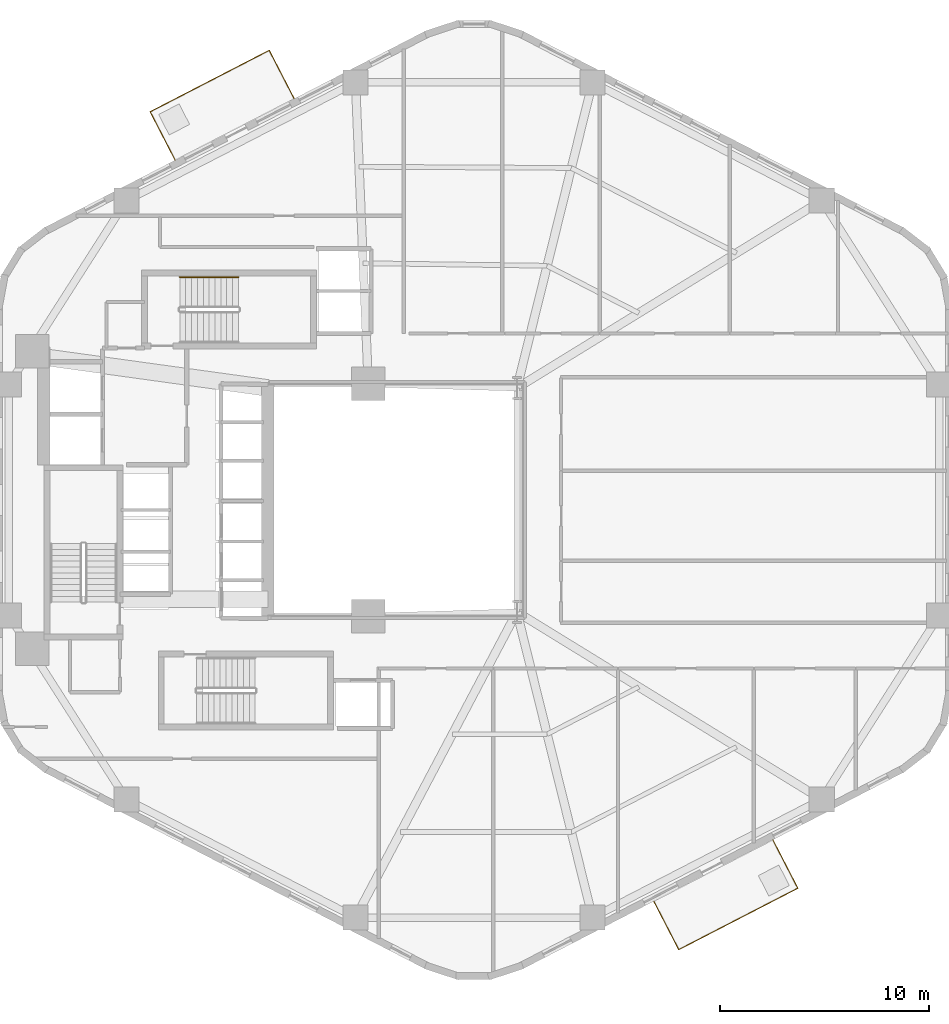
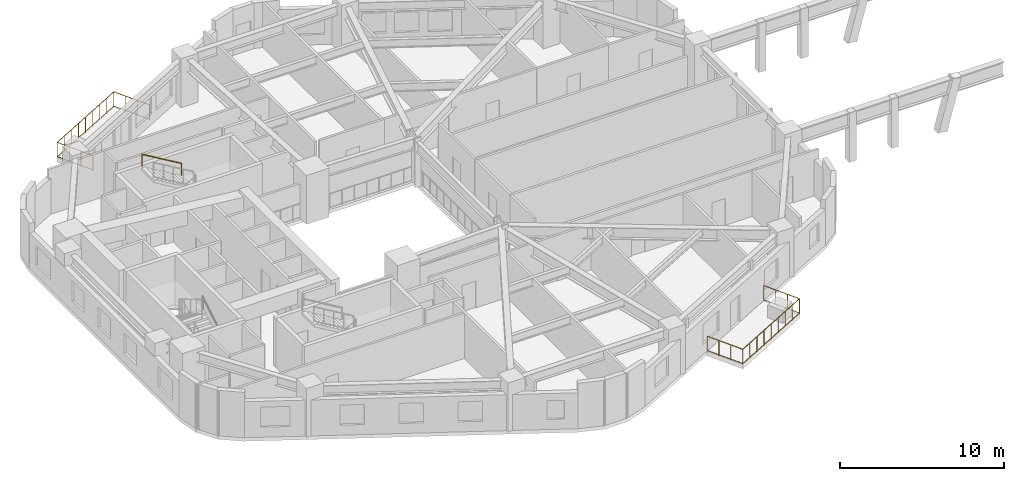
# One storey, part 8 of 8: 3 railings.
"""IFC4 building model written with IfcOpenShell, lengths in metres."""

from ifc_helpers import new_model, si_unit, direction, frame, origin, origin_2d, place, context, subcontext, project, spatial, circle, extrude, material, type_object, element, save


model = new_model("IFC4")

# Units and contexts
model_context = context("Model", 3, precision=1e-05, world=origin(), true_north=direction((0.0, 1.0)))
body_context = subcontext(model_context, "Body", "Model", "MODEL_VIEW")
ifc_project = project(units=[si_unit("LENGTHUNIT", "METRE"), si_unit("AREAUNIT", "SQUARE_METRE"), si_unit("VOLUMEUNIT", "CUBIC_METRE"), si_unit("PLANEANGLEUNIT", "RADIAN"), si_unit("MASSUNIT", "GRAM", prefix="KILO"), si_unit("THERMODYNAMICTEMPERATUREUNIT", "KELVIN"), si_unit("POWERUNIT", "WATT")], contexts=[model_context])

# Site, building, storey
site_placement = place(None, origin())
site = spatial("IfcSite", under=ifc_project, at=site_placement, CompositionType="ELEMENT")
building_placement = place(site_placement, origin())
building = spatial("IfcBuilding", under=site, at=building_placement, Name="Skarre Station Tower", CompositionType="ELEMENT")
storey_placement = place(building_placement, frame((0.0, 0.0, 45.25)))
storey = spatial("IfcBuildingStorey", under=building, at=storey_placement, Name="L11", CompositionType="ELEMENT", Elevation=45.25)

# Railings
ifc_material_1 = material(Name="Stainless Steel Grade 316L & Laminated Safety Glass", Category="steel")
railing_type_1 = type_object("IfcRailingType", Name="Laminated Glass & Stainless Terrace Guardrail 1150", PredefinedType="BALUSTRADE", material=ifc_material_1)
railing_1_placement = place(storey_placement, frame((28.80810546875, 43.176025390625, 0.0)))
element("IfcRailing", 1, at=railing_1_placement, inside=storey, type_object=railing_type_1, Name="L11 TB-L11-F1 Tree-Balcony Guardrail", PredefinedType="BALUSTRADE", context=body_context, shape_type="SweptSolid", body=[
    extrude(circle(Radius=0.02392578125, at=origin_2d()), frame((0.0, 0.0, 1.1259765625), z_axis=(-0.458599707136, 0.888642959019, 0.0), x_axis=(-0.888642959019, -0.458599707136, 0.0)), (0.0, 0.0, 1.0), 2.590576171875),
    extrude(circle(Radius=0.02099609375, at=origin_2d()), frame((0.0, 0.0, 0.06005859375), z_axis=(-0.458599707136, 0.888642959019, 0.0), x_axis=(-0.888642959019, -0.458599707136, 0.0)), (0.0, 0.0, 1.0), 2.590576171875),
    extrude(circle(Radius=0.02392578125, at=origin_2d()), frame((-1.18798828125, 2.302001953125, 1.1259765625), z_axis=(-0.888671800122, -0.458543816519, 0.0), x_axis=(0.458543816519, -0.888671800122, 0.0)), (0.0, 0.0, 1.0), 6.40087890625),
    extrude(circle(Radius=0.02099609375, at=origin_2d()), frame((-1.18798828125, 2.302001953125, 0.06005859375), z_axis=(-0.888671800122, -0.458543816519, 0.0), x_axis=(0.458543816519, -0.888671800122, 0.0)), (0.0, 0.0, 1.0), 6.40087890625),
    extrude(circle(Radius=0.02392578125, at=origin_2d()), frame((-6.876220703125, -0.633056640625, 1.1259765625), z_axis=(0.458674126871, -0.88860454947, 0.0), x_axis=(0.88860454947, 0.458674126871, 0.0)), (0.0, 0.0, 1.0), 2.590576171875),
    extrude(circle(Radius=0.02099609375, at=origin_2d()), frame((-6.876220703125, -0.633056640625, 0.06005859375), z_axis=(0.458674126871, -0.88860454947, 0.0), x_axis=(0.88860454947, 0.458674126871, 0.0)), (0.0, 0.0, 1.0), 2.590576171875),
    extrude(circle(Radius=0.02099609375, at=origin_2d()), origin(), (0.0, 0.0, 1.0), 1.101806640625),
    extrude(circle(Radius=0.02099609375, at=origin_2d()), frame((-0.39599609375, 0.767333984375, 0.0)), (0.0, 0.0, 1.0), 1.101806640625),
    extrude(circle(Radius=0.02099609375, at=origin_2d()), frame((-0.7919921875, 1.53466796875, 0.0)), (0.0, 0.0, 1.0), 1.101806640625),
    extrude(circle(Radius=0.02099609375, at=origin_2d()), frame((-1.18798828125, 2.302001953125, 0.0)), (0.0, 0.0, 1.0), 1.101806640625),
    extrude(circle(Radius=0.02099609375, at=origin_2d()), frame((-1.89892578125, 1.93505859375, 0.0)), (0.0, 0.0, 1.0), 1.101806640625),
    extrude(circle(Radius=0.02099609375, at=origin_2d()), frame((-2.610107421875, 1.568359375, 0.0)), (0.0, 0.0, 1.0), 1.101806640625),
    extrude(circle(Radius=0.02099609375, at=origin_2d()), frame((-3.321044921875, 1.201416015625, 0.0)), (0.0, 0.0, 1.0), 1.101806640625),
    extrude(circle(Radius=0.02099609375, at=origin_2d()), frame((-4.0322265625, 0.83447265625, 0.0)), (0.0, 0.0, 1.0), 1.101806640625),
    extrude(circle(Radius=0.02099609375, at=origin_2d()), frame((-4.7431640625, 0.467529296875, 0.0)), (0.0, 0.0, 1.0), 1.101806640625),
    extrude(circle(Radius=0.02099609375, at=origin_2d()), frame((-5.4541015625, 0.1005859375, 0.0)), (0.0, 0.0, 1.0), 1.101806640625),
    extrude(circle(Radius=0.02099609375, at=origin_2d()), frame((-6.165283203125, -0.26611328125, 0.0)), (0.0, 0.0, 1.0), 1.101806640625),
    extrude(circle(Radius=0.02099609375, at=origin_2d()), frame((-6.876220703125, -0.633056640625, 0.0)), (0.0, 0.0, 1.0), 1.101806640625),
    extrude(circle(Radius=0.02099609375, at=origin_2d()), frame((-6.480224609375, -1.400390625, 0.0)), (0.0, 0.0, 1.0), 1.101806640625),
    extrude(circle(Radius=0.02099609375, at=origin_2d()), frame((-6.083984375, -2.167724609375, 0.0)), (0.0, 0.0, 1.0), 1.101806640625),
    extrude(circle(Radius=0.02099609375, at=origin_2d()), frame((-5.68798828125, -2.93505859375, 0.0)), (0.0, 0.0, 1.0), 1.101806640625),
])
railing_2_placement = place(storey_placement, frame((45.991943359375, 4.823974609375, 0.0)))
element("IfcRailing", 2, at=railing_2_placement, inside=storey, type_object=railing_type_1, Name="L11 TB-L11-F4 Tree-Balcony Guardrail", PredefinedType="BALUSTRADE", context=body_context, shape_type="SweptSolid", body=[
    extrude(circle(Radius=0.02392578125, at=origin_2d()), frame((0.0, 0.0, 1.1259765625), z_axis=(0.458599707136, -0.888642959019, 0.0), x_axis=(0.888642959019, 0.458599707136, 0.0)), (0.0, 0.0, 1.0), 2.590576171875),
    extrude(circle(Radius=0.02099609375, at=origin_2d()), frame((0.0, 0.0, 0.06005859375), z_axis=(0.458599707136, -0.888642959019, 0.0), x_axis=(0.888642959019, 0.458599707136, 0.0)), (0.0, 0.0, 1.0), 2.590576171875),
    extrude(circle(Radius=0.02392578125, at=origin_2d()), frame((1.18798828125, -2.302001953125, 1.1259765625), z_axis=(0.888663779873, 0.458559359672, 0.0), x_axis=(-0.458559359672, 0.888663779873, 0.0)), (0.0, 0.0, 1.0), 6.400634765625),
    extrude(circle(Radius=0.02099609375, at=origin_2d()), frame((1.18798828125, -2.302001953125, 0.06005859375), z_axis=(0.888663779873, 0.458559359672, 0.0), x_axis=(-0.458559359672, 0.888663779873, 0.0)), (0.0, 0.0, 1.0), 6.400634765625),
    extrude(circle(Radius=0.02392578125, at=origin_2d()), frame((6.8759765625, 0.633056640625, 1.1259765625), z_axis=(-0.458599707136, 0.888642959019, 0.0), x_axis=(-0.888642959019, -0.458599707136, 0.0)), (0.0, 0.0, 1.0), 2.590576171875),
    extrude(circle(Radius=0.02099609375, at=origin_2d()), frame((6.8759765625, 0.633056640625, 0.06005859375), z_axis=(-0.458599707136, 0.888642959019, 0.0), x_axis=(-0.888642959019, -0.458599707136, 0.0)), (0.0, 0.0, 1.0), 2.590576171875),
    extrude(circle(Radius=0.02099609375, at=origin_2d()), origin(), (0.0, 0.0, 1.0), 1.101806640625),
    extrude(circle(Radius=0.02099609375, at=origin_2d()), frame((0.39599609375, -0.767333984375, 0.0)), (0.0, 0.0, 1.0), 1.101806640625),
    extrude(circle(Radius=0.02099609375, at=origin_2d()), frame((0.7919921875, -1.53466796875, 0.0)), (0.0, 0.0, 1.0), 1.101806640625),
    extrude(circle(Radius=0.02099609375, at=origin_2d()), frame((1.18798828125, -2.302001953125, 0.0)), (0.0, 0.0, 1.0), 1.101806640625),
    extrude(circle(Radius=0.02099609375, at=origin_2d()), frame((1.89892578125, -1.93505859375, 0.0)), (0.0, 0.0, 1.0), 1.101806640625),
    extrude(circle(Radius=0.02099609375, at=origin_2d()), frame((2.60986328125, -1.568359375, 0.0)), (0.0, 0.0, 1.0), 1.101806640625),
    extrude(circle(Radius=0.02099609375, at=origin_2d()), frame((3.321044921875, -1.201416015625, 0.0)), (0.0, 0.0, 1.0), 1.101806640625),
    extrude(circle(Radius=0.02099609375, at=origin_2d()), frame((4.031982421875, -0.83447265625, 0.0)), (0.0, 0.0, 1.0), 1.101806640625),
    extrude(circle(Radius=0.02099609375, at=origin_2d()), frame((4.742919921875, -0.467529296875, 0.0)), (0.0, 0.0, 1.0), 1.101806640625),
    extrude(circle(Radius=0.02099609375, at=origin_2d()), frame((5.4541015625, -0.1005859375, 0.0)), (0.0, 0.0, 1.0), 1.101806640625),
    extrude(circle(Radius=0.02099609375, at=origin_2d()), frame((6.1650390625, 0.26611328125, 0.0)), (0.0, 0.0, 1.0), 1.101806640625),
    extrude(circle(Radius=0.02099609375, at=origin_2d()), frame((6.8759765625, 0.633056640625, 0.0)), (0.0, 0.0, 1.0), 1.101806640625),
    extrude(circle(Radius=0.02099609375, at=origin_2d()), frame((6.47998046875, 1.400390625, 0.0)), (0.0, 0.0, 1.0), 1.101806640625),
    extrude(circle(Radius=0.02099609375, at=origin_2d()), frame((6.083984375, 2.167724609375, 0.0)), (0.0, 0.0, 1.0), 1.101806640625),
    extrude(circle(Radius=0.02099609375, at=origin_2d()), frame((5.68798828125, 2.93505859375, 0.0)), (0.0, 0.0, 1.0), 1.101806640625),
])
ifc_material_2 = material(Name="Powder-Coated Tubular Steel", Category="steel")
railing_type_2 = type_object("IfcRailingType", Name="Painted Steel Ramp & Stair Handrail 920", PredefinedType="HANDRAIL", material=ifc_material_2)
railing_3_placement = place(storey_placement, frame((26.14990234375, 34.64990234375, 1.990966796875)))
element("IfcRailing", 3, at=railing_3_placement, inside=storey, type_object=railing_type_2, Name="L11 ST-3 stair handrail 2", PredefinedType="HANDRAIL", context=body_context, shape_type="SweptSolid", body=[
    extrude(circle(Radius=0.02392578125, at=origin_2d()), frame((0.0, 0.0, 0.8759765625), z_axis=(-0.860319559791, 0.0, 0.509755093197), x_axis=(0.0, -1.0, 0.0)), (0.0, 0.0, 1.0), 3.25439453125),
    extrude(circle(Radius=0.02099609375, at=origin_2d()), origin(), (0.0, 0.0, 1.0), 0.851806640625),
    extrude(circle(Radius=0.02099609375, at=origin_2d()), frame((-2.7998046875, 0.0, 1.658935546875)), (0.0, 0.0, 1.0), 0.851806640625),
])

save(model, "model.ifc")
